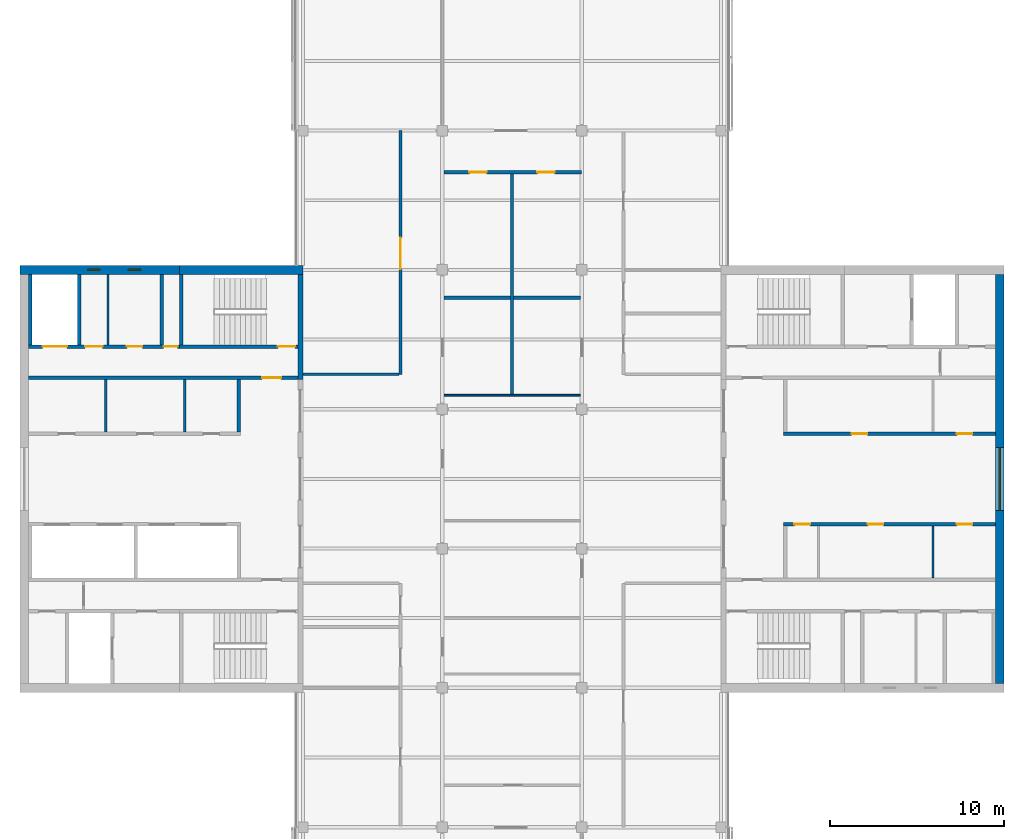
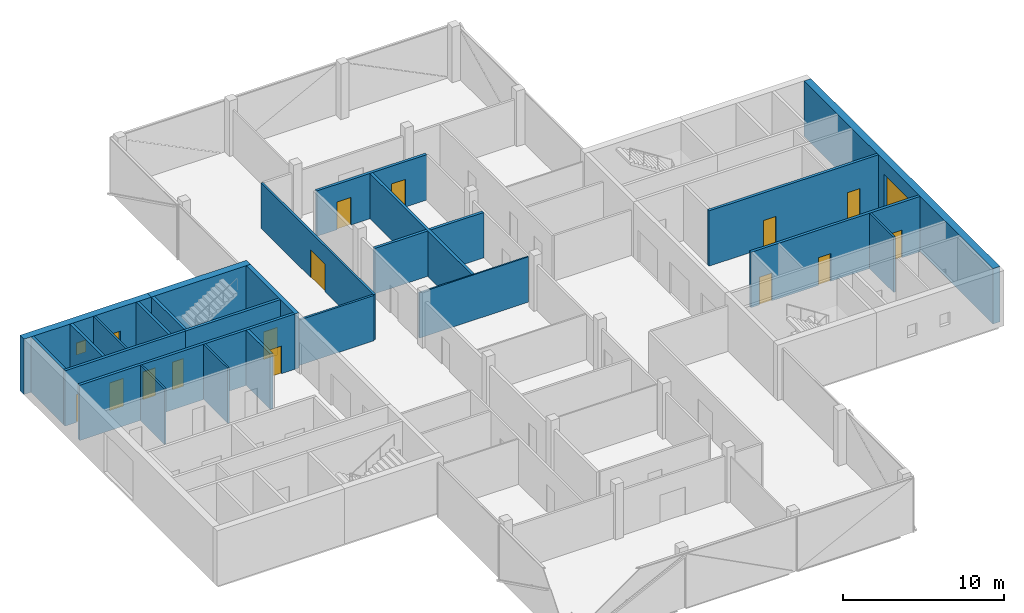
# One storey, part 11 of 16: 25 walls, 14 doors, 3 windows, 17 openings.
"""IFC4 building model written with IfcOpenShell, lengths in metres."""

from ifc_helpers import new_model, si_unit, direction, frame, frame_2d, origin, place, context, subcontext, project, spatial, rectangle, extrude, material, layer, layer_set, constituent, constituent_set, type_object, element, fill, save


model = new_model("IFC4")

# Units and contexts
model_context = context("Model", 3, precision=1e-05, world=origin(), true_north=direction((0.0, 1.0)))
body_context = subcontext(model_context, "Body", "Model", "MODEL_VIEW")
ifc_project = project(units=[si_unit("LENGTHUNIT", "METRE"), si_unit("AREAUNIT", "SQUARE_METRE"), si_unit("VOLUMEUNIT", "CUBIC_METRE"), si_unit("PLANEANGLEUNIT", "RADIAN"), si_unit("MASSUNIT", "GRAM", prefix="KILO")], contexts=[model_context])

# Site, building, storey
site_placement = place(None, origin())
site = spatial("IfcSite", under=ifc_project, at=site_placement, CompositionType="ELEMENT")
building_placement = place(site_placement, origin())
building = spatial("IfcBuilding", under=site, at=building_placement, Name="Crosswind Convention Tower", CompositionType="ELEMENT")
storey_placement = place(building_placement, frame((0.0, 0.0, 295.5)))
storey = spatial("IfcBuildingStorey", under=building, at=storey_placement, Name="L64", CompositionType="ELEMENT", Elevation=295.5)

# Walls
ifc_material_1 = material(Name="Concrete blockwork", Category="masonry")
ifc_layer_1 = layer(ifc_material_1, 0.199951171875)
ifc_layer_set_1 = layer_set([ifc_layer_1], Name="Blockwork partition wall 200")
wall_type_1 = type_object("IfcWallType", Name="Blockwork partition wall 200", PredefinedType="PARTITIONING", material=ifc_layer_set_1)
wall_1_placement = place(storey_placement, frame((104.89990234375, 111.75, 0.0), z_axis=(0.0, 0.0, 1.0), x_axis=(0.0, -1.0, 0.0)))
element("IfcWall", 1, at=wall_1_placement, inside=storey, type_object=wall_type_1, Name="Wall MRSE W L64", PredefinedType="PARTITIONING", context=body_context, shape_type="SweptSolid", body=[
    extrude(rectangle(XDim=4.050048828125, YDim=0.199951171875, at=frame_2d((2.02490234375, 0.0))), origin(), (0.0, 0.0, 1.0), 4.199951171875),
])
ifc_layer_2 = layer(ifc_material_1, 0.199951171875)
ifc_layer_set_2 = layer_set([ifc_layer_2], Name="COMPARTMENT WALL 200 BLOCKWORK")
wall_type_2 = type_object("IfcWallType", Name="COMPARTMENT WALL 200 BLOCKWORK", PredefinedType="SOLIDWALL", material=ifc_layer_set_2)
wall_2_placement = place(storey_placement, frame((125.0, 104.85009765625, 0.0), z_axis=(0.0, 0.0, 1.0), x_axis=(0.0, 1.0, 0.0)))
element("IfcWall", 2, at=wall_2_placement, inside=storey, type_object=wall_type_2, Name="Compartment wall WT42", PredefinedType="SOLIDWALL", context=body_context, shape_type="SweptSolid", body=[
    extrude(rectangle(XDim=12.64990234375, YDim=0.199951171875, at=frame_2d((6.324951171875, 0.0))), origin(), (0.0, 0.0, 1.0), 3.44287109375),
])

# Wall, openings, doors
wall_3_placement = place(storey_placement, frame((121.10009765625, 117.60009765625, 0.0), z_axis=(0.0, 0.0, 1.0), x_axis=(1.0, 0.0, 0.0)))
wall_3 = element("IfcWall", 3, at=wall_3_placement, inside=storey, type_object=wall_type_2, Name="Compartment wall WT42", PredefinedType="SOLIDWALL", context=body_context, shape_type="SweptSolid", body=[
    extrude(rectangle(XDim=7.89990234375, YDim=0.199951171875, at=frame_2d((3.949951171875, 0.0))), origin(), (0.0, 0.0, 1.0), 3.44287109375),
])
opening_1_placement = place(wall_3_placement, frame((1.449951171875, 0.0, 0.0)))
opening_1 = element("IfcOpeningElement", 4, at=opening_1_placement, cuts=wall_3, Name="Opening L64-66", PredefinedType="OPENING", context=body_context, shape_type="SweptSolid", body=[
    extrude(rectangle(XDim=1.0, YDim=2.10009765625, at=frame_2d((0.5, 1.050048828125))), frame((0.0, 0.10986328125, 0.0), z_axis=(0.0, -1.0, 0.0), x_axis=(1.0, 0.0, 0.0)), (0.0, 0.0, 1.0), 0.219970703125),
])
opening_2_placement = place(wall_3_placement, frame((5.35009765625, 0.0, 0.0)))
opening_2 = element("IfcOpeningElement", 5, at=opening_2_placement, cuts=wall_3, Name="Opening L64-67", PredefinedType="OPENING", context=body_context, shape_type="SweptSolid", body=[
    extrude(rectangle(XDim=1.0, YDim=2.10009765625, at=frame_2d((0.5, 1.050048828125))), frame((0.0, 0.10986328125, 0.0), z_axis=(0.0, -1.0, 0.0), x_axis=(1.0, 0.0, 0.0)), (0.0, 0.0, 1.0), 0.219970703125),
])
ifc_material_2 = material(Name="Steel fire door", Category="steel")
door_type_1 = type_object("IfcDoorType", Name="PLANT ROOM DOOR 1000X2100 FD60", OperationType="NOTDEFINED", PredefinedType="DOOR", material=ifc_material_2)
door_1_placement = place(opening_1_placement, frame((1.0, 0.0, 0.0), z_axis=(0.0, 0.0, 1.0), x_axis=(-1.0, 0.0, 0.0)))
door_1 = element("IfcDoor", 6, at=door_1_placement, inside=storey, type_object=door_type_1, Name="Door L64-66", ObjectType="D43", OperationType="SINGLE_SWING_LEFT", OverallHeight=2.10009765625, OverallWidth=1.0, PredefinedType="DOOR", context=body_context, shape_type="SweptSolid", body=[
    extrude(rectangle(XDim=1.0, YDim=2.10009765625, at=frame_2d((0.5, 1.050048828125))), frame((0.0, 0.02490234375, 0.0), z_axis=(0.0, -1.0, 0.0), x_axis=(1.0, 0.0, 0.0)), (0.0, 0.0, 1.0), 0.050048828125),
])
fill(opening_1, door_1)
ifc_material_3 = material(Name="Timber fire door", Category="wood")
door_type_2 = type_object("IfcDoorType", Name="TENANCY ENTRANCE DOOR 1000X2100 FD30S", OperationType="NOTDEFINED", PredefinedType="DOOR", material=ifc_material_3)
door_2_placement = place(opening_2_placement, frame((1.0, 0.0, 0.0), z_axis=(0.0, 0.0, 1.0), x_axis=(-1.0, 0.0, 0.0)))
door_2 = element("IfcDoor", 7, at=door_2_placement, inside=storey, type_object=door_type_2, Name="Door L64-67", ObjectType="D41", OperationType="SINGLE_SWING_RIGHT", OverallHeight=2.10009765625, OverallWidth=1.0, PredefinedType="DOOR", context=body_context, shape_type="SweptSolid", body=[
    extrude(rectangle(XDim=1.0, YDim=2.10009765625, at=frame_2d((0.5, 1.050048828125))), frame((0.0, 0.02490234375, 0.0), z_axis=(0.0, -1.0, 0.0), x_axis=(1.0, 0.0, 0.0)), (0.0, 0.0, 1.0), 0.050048828125),
])
fill(opening_2, door_2)

# Walls
wall_4_placement = place(storey_placement, frame((121.10009765625, 110.39990234375, 0.0), z_axis=(0.0, 0.0, 1.0), x_axis=(1.0, 0.0, 0.0)))
element("IfcWall", 8, at=wall_4_placement, inside=storey, type_object=wall_type_2, Name="Compartment wall WT42", PredefinedType="SOLIDWALL", context=body_context, shape_type="SweptSolid", body=[
    extrude(rectangle(XDim=3.7998046875, YDim=0.199951171875, at=frame_2d((1.89990234375, 0.0))), origin(), (0.0, 0.0, 1.0), 3.44287109375),
])
wall_5_placement = place(storey_placement, frame((125.10009765625, 110.39990234375, 0.0), z_axis=(0.0, 0.0, 1.0), x_axis=(1.0, 0.0, 0.0)))
element("IfcWall", 9, at=wall_5_placement, inside=storey, type_object=wall_type_2, Name="Compartment wall WT42", PredefinedType="SOLIDWALL", context=body_context, shape_type="SweptSolid", body=[
    extrude(rectangle(XDim=3.824951171875, YDim=0.199951171875, at=frame_2d((1.91259765625, 0.0))), origin(), (0.0, 0.0, 1.0), 3.44287109375),
])
ifc_material_4 = material(Name="Concrete C50/60", Category="concrete")
ifc_layer_3 = layer(ifc_material_4, 0.300048828125)
ifc_layer_set_3 = layer_set([ifc_layer_3], Name="Concrete C50/60")
wall_type_3 = type_object("IfcWallType", Name="Concrete inner core wall 300", PredefinedType="SHEAR", material=ifc_layer_set_3)
wall_6_placement = place(storey_placement, frame((112.85009765625, 111.75, 0.0), z_axis=(0.0, 0.0, 1.0), x_axis=(0.0, -1.0, 0.0)))
element("IfcWall", 10, at=wall_6_placement, inside=storey, type_object=wall_type_3, Name="Wall EM W L64", PredefinedType="SHEAR", context=body_context, shape_type="SweptSolid", body=[
    extrude(rectangle(XDim=6.050048828125, YDim=0.300048828125, at=frame_2d((3.02490234375, 0.0))), origin(), (0.0, 0.0, 1.0), 4.199951171875),
])

# Wall, openings, doors
ifc_layer_4 = layer(ifc_material_4, 0.199951171875)
ifc_layer_set_4 = layer_set([ifc_layer_4], Name="Concrete C50/60")
wall_type_4 = type_object("IfcWallType", Name="Concrete shaft and stair wall 200", PredefinedType="SHEAR", material=ifc_layer_set_4)
wall_7_placement = place(storey_placement, frame((140.60009765625, 102.60009765625, 0.0), z_axis=(0.0, 0.0, 1.0), x_axis=(1.0, 0.0, 0.0)))
wall_7 = element("IfcWall", 11, at=wall_7_placement, inside=storey, type_object=wall_type_4, Name="Wall RPFRONT E L64", PredefinedType="SHEAR", context=body_context, shape_type="SweptSolid", body=[
    extrude(rectangle(XDim=12.14990234375, YDim=0.199951171875, at=frame_2d((6.074951171875, 0.0))), origin(), (0.0, 0.0, 1.0), 4.199951171875),
])
opening_3_placement = place(wall_7_placement, frame((3.9013671875, 0.0, 0.0)))
opening_3 = element("IfcOpeningElement", 12, at=opening_3_placement, cuts=wall_7, Name="Opening D106", PredefinedType="OPENING", context=body_context, shape_type="SweptSolid", body=[
    extrude(rectangle(XDim=0.89990234375, YDim=2.10009765625, at=frame_2d((0.449951171875, 1.050048828125))), frame((0.0, 0.10986328125, 0.0), z_axis=(0.0, -1.0, 0.0), x_axis=(1.0, 0.0, 0.0)), (0.0, 0.0, 1.0), 0.219970703125),
])
opening_4_placement = place(wall_7_placement, frame((9.938720703125, 0.0, 0.0)))
opening_4 = element("IfcOpeningElement", 13, at=opening_4_placement, cuts=wall_7, Name="Opening D106", PredefinedType="OPENING", context=body_context, shape_type="SweptSolid", body=[
    extrude(rectangle(XDim=0.89990234375, YDim=2.10009765625, at=frame_2d((0.449951171875, 1.050048828125))), frame((0.0, 0.10986328125, 0.0), z_axis=(0.0, -1.0, 0.0), x_axis=(1.0, 0.0, 0.0)), (0.0, 0.0, 1.0), 0.219970703125),
])
ifc_material_5 = material(Name="Timber door", Category="wood")
door_type_3 = type_object("IfcDoorType", Name="Single leaf door 900x2100", OperationType="NOTDEFINED", PredefinedType="DOOR", material=ifc_material_5)
door_3_placement = place(opening_3_placement, origin())
door_3 = element("IfcDoor", 14, at=door_3_placement, inside=storey, type_object=door_type_3, Name="Door to telecoms room L64", ObjectType="D106", OperationType="SINGLE_SWING_RIGHT", OverallHeight=2.10009765625, OverallWidth=0.89990234375, PredefinedType="DOOR", context=body_context, shape_type="SweptSolid", body=[
    extrude(rectangle(XDim=0.89990234375, YDim=2.10009765625, at=frame_2d((0.449951171875, 1.050048828125))), frame((0.0, 0.02490234375, 0.0), z_axis=(0.0, -1.0, 0.0), x_axis=(1.0, 0.0, 0.0)), (0.0, 0.0, 1.0), 0.050048828125),
])
fill(opening_3, door_3)
door_4_placement = place(opening_4_placement, origin())
door_4 = element("IfcDoor", 15, at=door_4_placement, inside=storey, type_object=door_type_3, Name="Door to storeroom L64", ObjectType="D106", OperationType="SINGLE_SWING_RIGHT", OverallHeight=2.10009765625, OverallWidth=0.89990234375, PredefinedType="DOOR", context=body_context, shape_type="SweptSolid", body=[
    extrude(rectangle(XDim=0.89990234375, YDim=2.10009765625, at=frame_2d((0.449951171875, 1.050048828125))), frame((0.0, 0.02490234375, 0.0), z_axis=(0.0, -1.0, 0.0), x_axis=(1.0, 0.0, 0.0)), (0.0, 0.0, 1.0), 0.050048828125),
])
fill(opening_4, door_4)

wall_8_placement = place(storey_placement, frame((140.60009765625, 97.39990234375, 0.0), z_axis=(0.0, 0.0, 1.0), x_axis=(1.0, 0.0, 0.0)))
wall_8 = element("IfcWall", 16, at=wall_8_placement, inside=storey, type_object=wall_type_4, Name="Wall RMFRONT E L64", PredefinedType="SHEAR", context=body_context, shape_type="SweptSolid", body=[
    extrude(rectangle(XDim=12.14990234375, YDim=0.199951171875, at=frame_2d((6.074951171875, 0.0))), origin(), (0.0, 0.0, 1.0), 4.199951171875),
])
opening_5_placement = place(wall_8_placement, frame((0.614990234375, 0.0, 0.0)))
opening_5 = element("IfcOpeningElement", 17, at=opening_5_placement, cuts=wall_8, Name="Opening D106", PredefinedType="OPENING", context=body_context, shape_type="SweptSolid", body=[
    extrude(rectangle(XDim=0.89990234375, YDim=2.10009765625, at=frame_2d((0.449951171875, 1.050048828125))), frame((0.0, 0.10986328125, 0.0), z_axis=(0.0, -1.0, 0.0), x_axis=(1.0, 0.0, 0.0)), (0.0, 0.0, 1.0), 0.219970703125),
])
opening_6_placement = place(wall_8_placement, frame((4.828857421875, 0.0, 0.0)))
opening_6 = element("IfcOpeningElement", 18, at=opening_6_placement, cuts=wall_8, Name="Opening D106", PredefinedType="OPENING", context=body_context, shape_type="SweptSolid", body=[
    extrude(rectangle(XDim=0.89990234375, YDim=2.10009765625, at=frame_2d((0.449951171875, 1.050048828125))), frame((0.0, 0.10986328125, 0.0), z_axis=(0.0, -1.0, 0.0), x_axis=(1.0, 0.0, 0.0)), (0.0, 0.0, 1.0), 0.219970703125),
])
opening_7_placement = place(wall_8_placement, frame((9.938720703125, 0.0, 0.0)))
opening_7 = element("IfcOpeningElement", 19, at=opening_7_placement, cuts=wall_8, Name="Opening D106", PredefinedType="OPENING", context=body_context, shape_type="SweptSolid", body=[
    extrude(rectangle(XDim=0.89990234375, YDim=2.10009765625, at=frame_2d((0.449951171875, 1.050048828125))), frame((0.0, 0.10986328125, 0.0), z_axis=(0.0, -1.0, 0.0), x_axis=(1.0, 0.0, 0.0)), (0.0, 0.0, 1.0), 0.219970703125),
])
door_5_placement = place(opening_5_placement, frame((0.89990234375, 0.0, 0.0), z_axis=(0.0, 0.0, 1.0), x_axis=(-1.0, 0.0, 0.0)))
door_5 = element("IfcDoor", 20, at=door_5_placement, inside=storey, type_object=door_type_3, Name="Door to storeroom L64", ObjectType="D106", OperationType="SINGLE_SWING_LEFT", OverallHeight=2.10009765625, OverallWidth=0.89990234375, PredefinedType="DOOR", context=body_context, shape_type="SweptSolid", body=[
    extrude(rectangle(XDim=0.89990234375, YDim=2.10009765625, at=frame_2d((0.449951171875, 1.050048828125))), frame((0.0, 0.02490234375, 0.0), z_axis=(0.0, -1.0, 0.0), x_axis=(1.0, 0.0, 0.0)), (0.0, 0.0, 1.0), 0.050048828125),
])
fill(opening_5, door_5)
door_6_placement = place(opening_6_placement, frame((0.89990234375, 0.0, 0.0), z_axis=(0.0, 0.0, 1.0), x_axis=(-1.0, 0.0, 0.0)))
door_6 = element("IfcDoor", 21, at=door_6_placement, inside=storey, type_object=door_type_3, Name="Door to tenant services room L64", ObjectType="D106", OperationType="SINGLE_SWING_LEFT", OverallHeight=2.10009765625, OverallWidth=0.89990234375, PredefinedType="DOOR", context=body_context, shape_type="SweptSolid", body=[
    extrude(rectangle(XDim=0.89990234375, YDim=2.10009765625, at=frame_2d((0.449951171875, 1.050048828125))), frame((0.0, 0.02490234375, 0.0), z_axis=(0.0, -1.0, 0.0), x_axis=(1.0, 0.0, 0.0)), (0.0, 0.0, 1.0), 0.050048828125),
])
fill(opening_6, door_6)
door_7_placement = place(opening_7_placement, frame((0.89990234375, 0.0, 0.0), z_axis=(0.0, 0.0, 1.0), x_axis=(-1.0, 0.0, 0.0)))
door_7 = element("IfcDoor", 22, at=door_7_placement, inside=storey, type_object=door_type_3, Name="Door to copy and print room L64", ObjectType="D106", OperationType="SINGLE_SWING_LEFT", OverallHeight=2.10009765625, OverallWidth=0.89990234375, PredefinedType="DOOR", context=body_context, shape_type="SweptSolid", body=[
    extrude(rectangle(XDim=0.89990234375, YDim=2.10009765625, at=frame_2d((0.449951171875, 1.050048828125))), frame((0.0, 0.02490234375, 0.0), z_axis=(0.0, -1.0, 0.0), x_axis=(1.0, 0.0, 0.0)), (0.0, 0.0, 1.0), 0.050048828125),
])
fill(opening_7, door_7)

# Wall
wall_9_placement = place(storey_placement, frame((109.300048828125, 105.699951171875, 0.0), z_axis=(0.0, 0.0, 1.0), x_axis=(0.0, -1.0, 0.0)))
element("IfcWall", 23, at=wall_9_placement, inside=storey, type_object=wall_type_4, Name="Wall RMEND W L64", PredefinedType="SHEAR", context=body_context, shape_type="SweptSolid", body=[
    extrude(rectangle(XDim=3.0, YDim=0.199951171875, at=frame_2d((1.5, 0.0))), origin(), (0.0, 0.0, 1.0), 4.199951171875),
])

# Wall, opening, door
wall_10_placement = place(storey_placement, frame((112.699951171875, 105.800048828125, 0.0), z_axis=(0.0, 0.0, 1.0), x_axis=(-1.0, 0.0, 0.0)))
wall_10 = element("IfcWall", 24, at=wall_10_placement, inside=storey, type_object=wall_type_4, Name="Wall HM W L64", PredefinedType="SHEAR", context=body_context, shape_type="SweptSolid", body=[
    extrude(rectangle(XDim=15.449951171875, YDim=0.199951171875, at=frame_2d((7.72509765625, 0.0))), origin(), (0.0, 0.0, 1.0), 4.199951171875),
])
opening_8_placement = place(wall_10_placement, frame((0.949951171875, 0.0, 0.0)))
opening_8 = element("IfcOpeningElement", 25, at=opening_8_placement, cuts=wall_10, Name="Opening D104", PredefinedType="OPENING", context=body_context, shape_type="SweptSolid", body=[
    extrude(rectangle(XDim=1.10009765625, YDim=2.10009765625, at=frame_2d((0.550048828125, 1.050048828125))), frame((0.0, 0.10986328125, 0.0), z_axis=(0.0, -1.0, 0.0), x_axis=(1.0, 0.0, 0.0)), (0.0, 0.0, 1.0), 0.219970703125),
])
door_type_4 = type_object("IfcDoorType", Name="Fire-rated single door 1100x2100", OperationType="NOTDEFINED", PredefinedType="DOOR", material=ifc_material_2)
door_8_placement = place(opening_8_placement, origin())
door_8 = element("IfcDoor", 26, at=door_8_placement, inside=storey, type_object=door_type_4, Name="Corridor door L64", ObjectType="D104", OperationType="SINGLE_SWING_LEFT", OverallHeight=2.10009765625, OverallWidth=1.10009765625, PredefinedType="DOOR", context=body_context, shape_type="SweptSolid", body=[
    extrude(rectangle(XDim=1.10009765625, YDim=2.10009765625, at=frame_2d((0.550048828125, 1.050048828125))), frame((0.0, 0.02490234375, 0.0), z_axis=(0.0, -1.0, 0.0), x_axis=(1.0, 0.0, 0.0)), (0.0, 0.0, 1.0), 0.050048828125),
])
fill(opening_8, door_8)

# Walls
for number, where, z_axis, x_axis, name in (
    (27, (106.0, 111.75, 0.0), (0.0, 0.0, 1.0), (0.0, -1.0, 0.0), "Wall MSE W L64"),
    (28, (100.14990234375, 111.75, 0.0), (0.0, 0.0, 1.0), (0.0, -1.0, 0.0), "Wall MFSW W L64"),
    (29, (97.35009765625, 111.75, 0.0), (0.0, 0.0, 1.0), (0.0, -1.0, 0.0), "Wall MFSE W L64"),
):
    element("IfcWall", number, at=place(storey_placement, frame(where, z_axis=z_axis, x_axis=x_axis)), inside=storey, type_object=wall_type_4, Name=name, PredefinedType="SHEAR", context=body_context, shape_type="SweptSolid", body=[
        extrude(rectangle(XDim=4.050048828125, YDim=0.199951171875, at=frame_2d((2.02490234375, 0.0))), origin(), (0.0, 0.0, 1.0), 4.199951171875),
    ])

# Wall, opening, door
wall_11_placement = place(storey_placement, frame((112.699951171875, 107.60009765625, 0.0), z_axis=(0.0, 0.0, 1.0), x_axis=(-1.0, 0.0, 0.0)))
wall_11 = element("IfcWall", 30, at=wall_11_placement, inside=storey, type_object=wall_type_4, Name="Wall MCW W L64", PredefinedType="SHEAR", context=body_context, shape_type="SweptSolid", body=[
    extrude(rectangle(XDim=6.800048828125, YDim=0.199951171875, at=frame_2d((3.39990234375, 0.0))), origin(), (0.0, 0.0, 1.0), 4.199951171875),
])
opening_9_placement = place(wall_11_placement, frame((0.14990234375, 0.0, 0.0)))
opening_9 = element("IfcOpeningElement", 31, at=opening_9_placement, cuts=wall_11, Name="Opening D103", PredefinedType="OPENING", context=body_context, shape_type="SweptSolid", body=[
    extrude(rectangle(XDim=1.0, YDim=2.10009765625, at=frame_2d((0.5, 1.050048828125))), frame((0.0, 0.10986328125, 0.0), z_axis=(0.0, -1.0, 0.0), x_axis=(1.0, 0.0, 0.0)), (0.0, 0.0, 1.0), 0.219970703125),
])
door_type_5 = type_object("IfcDoorType", Name="Fire-rated single door 1000x2100", OperationType="NOTDEFINED", PredefinedType="DOOR", material=ifc_material_2)
door_9_placement = place(opening_9_placement, frame((1.0, 0.0, 0.0), z_axis=(0.0, 0.0, 1.0), x_axis=(-1.0, 0.0, 0.0)))
door_9 = element("IfcDoor", 32, at=door_9_placement, inside=storey, type_object=door_type_5, Name="Stair ST4 door L64", ObjectType="D103", OperationType="SINGLE_SWING_RIGHT", OverallHeight=2.10009765625, OverallWidth=1.0, PredefinedType="DOOR", context=body_context, shape_type="SweptSolid", body=[
    extrude(rectangle(XDim=1.0, YDim=2.10009765625, at=frame_2d((0.5, 1.050048828125))), frame((0.0, 0.02490234375, 0.0), z_axis=(0.0, -1.0, 0.0), x_axis=(1.0, 0.0, 0.0)), (0.0, 0.0, 1.0), 0.050048828125),
])
fill(opening_9, door_9)

# Wall, openings, doors
wall_12_placement = place(storey_placement, frame((105.89990234375, 107.60009765625, 0.0), z_axis=(0.0, 0.0, 1.0), x_axis=(-1.0, 0.0, 0.0)))
wall_12 = element("IfcWall", 33, at=wall_12_placement, inside=storey, type_object=wall_type_4, Name="Wall MCX W L64", PredefinedType="SHEAR", context=body_context, shape_type="SweptSolid", body=[
    extrude(rectangle(XDim=8.64990234375, YDim=0.199951171875, at=frame_2d((4.324951171875, 0.0))), origin(), (0.0, 0.0, 1.0), 4.199951171875),
])
opening_10_placement = place(wall_12_placement, frame((0.10009765625, 0.0, 0.0)))
opening_10 = element("IfcOpeningElement", 34, at=opening_10_placement, cuts=wall_12, Name="Opening D105", PredefinedType="OPENING", context=body_context, shape_type="SweptSolid", body=[
    extrude(rectangle(XDim=0.800048828125, YDim=2.10009765625, at=frame_2d((0.39990234375, 1.050048828125))), frame((0.0, 0.10986328125, 0.0), z_axis=(0.0, -1.0, 0.0), x_axis=(1.0, 0.0, 0.0)), (0.0, 0.0, 1.0), 0.219970703125),
])
opening_11_placement = place(wall_12_placement, frame((2.120361328125, 0.0, 0.0)))
opening_11 = element("IfcOpeningElement", 35, at=opening_11_placement, cuts=wall_12, Name="Opening D106", PredefinedType="OPENING", context=body_context, shape_type="SweptSolid", body=[
    extrude(rectangle(XDim=0.89990234375, YDim=2.10009765625, at=frame_2d((0.449951171875, 1.050048828125))), frame((0.0, 0.10986328125, 0.0), z_axis=(0.0, -1.0, 0.0), x_axis=(1.0, 0.0, 0.0)), (0.0, 0.0, 1.0), 0.219970703125),
])
opening_12_placement = place(wall_12_placement, frame((4.40771484375, 0.0, 0.0)))
opening_12 = element("IfcOpeningElement", 36, at=opening_12_placement, cuts=wall_12, Name="Opening D103", PredefinedType="OPENING", context=body_context, shape_type="SweptSolid", body=[
    extrude(rectangle(XDim=1.0, YDim=2.10009765625, at=frame_2d((0.5, 1.050048828125))), frame((0.0, 0.10986328125, 0.0), z_axis=(0.0, -1.0, 0.0), x_axis=(1.0, 0.0, 0.0)), (0.0, 0.0, 1.0), 0.219970703125),
])
opening_13_placement = place(wall_12_placement, frame((6.449951171875, 0.0, 0.0)))
opening_13 = element("IfcOpeningElement", 37, at=opening_13_placement, cuts=wall_12, Name="Opening LD2", PredefinedType="OPENING", context=body_context, shape_type="SweptSolid", body=[
    extrude(rectangle(XDim=1.39990234375, YDim=2.10009765625, at=frame_2d((0.699951171875, 1.050048828125))), frame((0.0, 0.10986328125, 0.0), z_axis=(0.0, -1.0, 0.0), x_axis=(1.0, 0.0, 0.0)), (0.0, 0.0, 1.0), 0.219970703125),
])
door_10_placement = place(opening_12_placement, frame((1.0, 0.0, 0.0), z_axis=(0.0, 0.0, 1.0), x_axis=(-1.0, 0.0, 0.0)))
door_10 = element("IfcDoor", 38, at=door_10_placement, inside=storey, type_object=door_type_5, Name="Door to accessible wc L64", ObjectType="D103", OperationType="SINGLE_SWING_LEFT", OverallHeight=2.10009765625, OverallWidth=1.0, PredefinedType="DOOR", context=body_context, shape_type="SweptSolid", body=[
    extrude(rectangle(XDim=1.0, YDim=2.10009765625, at=frame_2d((0.5, 1.050048828125))), frame((0.0, 0.02490234375, 0.0), z_axis=(0.0, -1.0, 0.0), x_axis=(1.0, 0.0, 0.0)), (0.0, 0.0, 1.0), 0.050048828125),
])
fill(opening_12, door_10)
ifc_material_6 = material(Name="Stainless steel", Category="steel")
door_type_6 = type_object("IfcDoorType", Name="Lift landing door 1400x2100", OperationType="DOUBLE_DOOR_SLIDING", PredefinedType="DOOR", material=ifc_material_6)
door_11_placement = place(opening_13_placement, origin())
door_11 = element("IfcDoor", 39, at=door_11_placement, inside=storey, type_object=door_type_6, Name="Landing door SV2 L64", ObjectType="LD2", OperationType="DOUBLE_DOOR_SLIDING", OverallHeight=2.10009765625, OverallWidth=1.39990234375, PredefinedType="DOOR", context=body_context, shape_type="SweptSolid", body=[
    extrude(rectangle(XDim=1.39990234375, YDim=2.10009765625, at=frame_2d((0.699951171875, 1.050048828125))), frame((0.0, 0.02490234375, 0.0), z_axis=(0.0, -1.0, 0.0), x_axis=(1.0, 0.0, 0.0)), (0.0, 0.0, 1.0), 0.050048828125),
])
fill(opening_13, door_11)
door_type_7 = type_object("IfcDoorType", Name="Riser access door 800x2100", OperationType="NOTDEFINED", PredefinedType="DOOR", material=ifc_material_2)
door_12_placement = place(opening_10_placement, frame((0.800048828125, 0.0, 0.0), z_axis=(0.0, 0.0, 1.0), x_axis=(-1.0, 0.0, 0.0)))
door_12 = element("IfcDoor", 40, at=door_12_placement, inside=storey, type_object=door_type_7, Name="Riser door L64", ObjectType="D105", OperationType="SINGLE_SWING_LEFT", OverallHeight=2.10009765625, OverallWidth=0.800048828125, PredefinedType="DOOR", context=body_context, shape_type="SweptSolid", body=[
    extrude(rectangle(XDim=0.800048828125, YDim=2.10009765625, at=frame_2d((0.39990234375, 1.050048828125))), frame((0.0, 0.02490234375, 0.0), z_axis=(0.0, -1.0, 0.0), x_axis=(1.0, 0.0, 0.0)), (0.0, 0.0, 1.0), 0.050048828125),
])
fill(opening_10, door_12)
door_13_placement = place(opening_11_placement, frame((0.89990234375, 0.0, 0.0), z_axis=(0.0, 0.0, 1.0), x_axis=(-1.0, 0.0, 0.0)))
door_13 = element("IfcDoor", 41, at=door_13_placement, inside=storey, type_object=door_type_3, Name="Door to wc L64", ObjectType="D106", OperationType="SINGLE_SWING_LEFT", OverallHeight=2.10009765625, OverallWidth=0.89990234375, PredefinedType="DOOR", context=body_context, shape_type="SweptSolid", body=[
    extrude(rectangle(XDim=0.89990234375, YDim=2.10009765625, at=frame_2d((0.449951171875, 1.050048828125))), frame((0.0, 0.02490234375, 0.0), z_axis=(0.0, -1.0, 0.0), x_axis=(1.0, 0.0, 0.0)), (0.0, 0.0, 1.0), 0.050048828125),
])
fill(opening_11, door_13)

# Walls
ifc_material_7 = material(Name="Gypsum plasterboard partition", Category="gypsum")
ifc_layer_5 = layer(ifc_material_7, 0.125)
ifc_layer_set_5 = layer_set([ifc_layer_5], Name="Drywall partition wall 125")
wall_type_5 = type_object("IfcWallType", Name="Drywall partition wall 125", PredefinedType="PARTITIONING", material=ifc_layer_set_5)
for number, where, z_axis, x_axis, name in (
    (42, (149.1650390625, 94.300048828125, 0.0), (0.0, 0.0, 1.0), (0.0, 1.0, 0.0), "Wall RMP2 E L64"),
    (43, (106.21240234375, 105.699951171875, 0.0), (0.0, 0.0, 1.0), (0.0, -1.0, 0.0), "Wall RMP1 W L64"),
    (44, (101.67138671875, 105.699951171875, 0.0), (0.0, 0.0, 1.0), (0.0, -1.0, 0.0), "Wall RMP2 W L64"),
):
    element("IfcWall", number, at=place(storey_placement, frame(where, z_axis=z_axis, x_axis=x_axis)), inside=storey, type_object=wall_type_5, Name=name, PredefinedType="PARTITIONING", context=body_context, shape_type="SweptSolid", body=[
        extrude(rectangle(XDim=3.0, YDim=0.125, at=frame_2d((1.5, 0.0))), origin(), (0.0, 0.0, 1.0), 4.199951171875),
    ])
wall_13_placement = place(storey_placement, frame((101.797119140625, 111.75, 0.0), z_axis=(0.0, 0.0, 1.0), x_axis=(0.0, -1.0, 0.0)))
element("IfcWall", 45, at=wall_13_placement, inside=storey, type_object=wall_type_5, Name="Wall MWP1 W L64", PredefinedType="PARTITIONING", context=body_context, shape_type="SweptSolid", body=[
    extrude(rectangle(XDim=4.050048828125, YDim=0.125, at=frame_2d((2.02490234375, 0.0))), origin(), (0.0, 0.0, 1.0), 4.199951171875),
])
ifc_material_8 = material(Name="Plasterboard partition", Category="gypsum")
ifc_layer_6 = layer(ifc_material_8, 0.10009765625)
ifc_layer_set_6 = layer_set([ifc_layer_6], Name="PARTITION 100 METAL STUD")
wall_type_6 = type_object("IfcWallType", Name="PARTITION 100 METAL STUD", PredefinedType="PARTITIONING", material=ifc_layer_set_6)
wall_14_placement = place(storey_placement, frame((121.10009765625, 104.800048828125, 0.0), z_axis=(0.0, 0.0, 1.0), x_axis=(1.0, 0.0, 0.0)))
element("IfcWall", 46, at=wall_14_placement, inside=storey, type_object=wall_type_6, Name="Partition wall WT40", PredefinedType="PARTITIONING", context=body_context, shape_type="SweptSolid", body=[
    extrude(rectangle(XDim=7.824951171875, YDim=0.10009765625, at=frame_2d((3.91259765625, 0.0))), origin(), (0.0, 0.0, 1.0), 3.44287109375),
])

# Wall, opening, door
ifc_material_9 = material(Name="Fire-board partition with mineral wool", Category="gypsum")
ifc_layer_7 = layer(ifc_material_9, 0.14990234375)
ifc_layer_set_7 = layer_set([ifc_layer_7], Name="TENANCY WALL 150 TWO-HOUR BOARD")
wall_type_7 = type_object("IfcWallType", Name="TENANCY WALL 150 TWO-HOUR BOARD", PredefinedType="PARTITIONING", material=ifc_layer_set_7)
wall_15_placement = place(storey_placement, frame((118.60009765625, 106.0, 0.0), z_axis=(0.0, 0.0, 1.0), x_axis=(0.0, 1.0, 0.0)))
wall_15 = element("IfcWall", 47, at=wall_15_placement, inside=storey, type_object=wall_type_7, Name="Tenancy wall WT41", PredefinedType="PARTITIONING", context=body_context, shape_type="SweptSolid", body=[
    extrude(rectangle(XDim=14.0, YDim=0.14990234375, at=frame_2d((7.0, 0.0))), origin(), (0.0, 0.0, 1.0), 3.44287109375),
])
opening_14_placement = place(wall_15_placement, frame((6.050048828125, 0.0, 0.0)))
opening_14 = element("IfcOpeningElement", 48, at=opening_14_placement, cuts=wall_15, Name="Opening L64-54", PredefinedType="OPENING", context=body_context, shape_type="SweptSolid", body=[
    extrude(rectangle(XDim=1.800048828125, YDim=2.10009765625, at=frame_2d((0.89990234375, 1.050048828125))), frame((0.0, 0.0849609375, 0.0), z_axis=(0.0, -1.0, 0.0), x_axis=(1.0, 0.0, 0.0)), (0.0, 0.0, 1.0), 0.169921875),
])
door_type_8 = type_object("IfcDoorType", Name="TENANCY ENTRANCE DOUBLE DOOR 1800X2100 FD30S", OperationType="DOUBLE_DOOR_SINGLE_SWING", PredefinedType="DOOR", material=ifc_material_3)
door_14_placement = place(opening_14_placement, origin())
door_14 = element("IfcDoor", 49, at=door_14_placement, inside=storey, type_object=door_type_8, Name="Door L64-54", ObjectType="D42", OperationType="DOUBLE_DOOR_SINGLE_SWING", OverallHeight=2.10009765625, OverallWidth=1.800048828125, PredefinedType="DOOR", context=body_context, shape_type="SweptSolid", body=[
    extrude(rectangle(XDim=1.800048828125, YDim=2.10009765625, at=frame_2d((0.89990234375, 1.050048828125))), frame((0.0, 0.02490234375, 0.0), z_axis=(0.0, -1.0, 0.0), x_axis=(1.0, 0.0, 0.0)), (0.0, 0.0, 1.0), 0.050048828125),
])
fill(opening_14, door_14)

# Wall
wall_16_placement = place(storey_placement, frame((113.0, 106.0, 0.0), z_axis=(0.0, 0.0, 1.0), x_axis=(1.0, 0.0, 0.0)))
element("IfcWall", 50, at=wall_16_placement, inside=storey, type_object=wall_type_7, Name="Tenancy wall WT41", PredefinedType="PARTITIONING", context=body_context, shape_type="SweptSolid", body=[
    extrude(rectangle(XDim=5.52490234375, YDim=0.14990234375, at=frame_2d((2.762451171875, 0.0))), origin(), (0.0, 0.0, 1.0), 3.44287109375),
])

# Wall, opening, window
ifc_material_10 = material(Name="Concrete C60/75", Category="concrete")
ifc_constituent_1 = constituent(ifc_material_10, Name="Structure")
ifc_material_11 = material(Name="Terracotta rainscreen", Category="ceramic")
ifc_constituent_2 = constituent(ifc_material_11, Name="Facing")
ifc_constituent_set = constituent_set(constituents=[ifc_constituent_1, ifc_constituent_2], Name="Concrete C60/75, Terracotta rainscreen")
wall_type_8 = type_object("IfcWallType", Name="Terracotta rainscreen on concrete core wall 500", PredefinedType="SHEAR", material=ifc_constituent_set)
wall_17_placement = place(storey_placement, frame((153.0, 88.25, 0.0), z_axis=(0.0, 0.0, 1.0), x_axis=(0.0, 1.0, 0.0)))
wall_17 = element("IfcWall", 51, at=wall_17_placement, inside=storey, type_object=wall_type_8, Name="Wall O E L64", PredefinedType="SHEAR", context=body_context, shape_type="SweptSolid", body=[
    extrude(rectangle(XDim=23.5, YDim=0.5, at=frame_2d((11.75, 0.0))), origin(), (0.0, 0.0, 1.0), 4.199951171875),
])
opening_15_placement = place(wall_17_placement, frame((9.949951171875, 0.0, 0.14990234375)))
opening_15 = element("IfcOpeningElement", 52, at=opening_15_placement, cuts=wall_17, Name="Opening W1", PredefinedType="OPENING", context=body_context, shape_type="SweptSolid", body=[
    extrude(rectangle(XDim=3.60009765625, YDim=3.0, at=frame_2d((1.800048828125, 1.5))), frame((0.0, 0.260009765625, 0.0), z_axis=(0.0, -1.0, 0.0), x_axis=(1.0, 0.0, 0.0)), (0.0, 0.0, 1.0), 0.52001953125),
])
ifc_material_12 = material(Name="Clear laminated glass in aluminium frame", Category="aluminium")
window_type_1 = type_object("IfcWindowType", Name="Lobby end window 3600x3000", PartitioningType="SINGLE_PANEL", PredefinedType="WINDOW", material=ifc_material_12)
window_1_placement = place(opening_15_placement, origin())
window_1 = element("IfcWindow", 53, at=window_1_placement, inside=storey, type_object=window_type_1, Name="Lobby end window L64", ObjectType="W1", OverallHeight=3.0, OverallWidth=3.60009765625, PartitioningType="SINGLE_PANEL", PredefinedType="WINDOW", context=body_context, shape_type="SweptSolid", body=[
    extrude(rectangle(XDim=3.60009765625, YDim=3.0, at=frame_2d((1.800048828125, 1.5))), frame((0.0, 0.030029296875, 0.0), z_axis=(0.0, -1.0, 0.0), x_axis=(1.0, 0.0, 0.0)), (0.0, 0.0, 1.0), 0.06005859375),
])
fill(opening_15, window_1)

# Wall
wall_18_placement = place(storey_placement, frame((113.0, 112.0, 0.0), z_axis=(0.0, 0.0, 1.0), x_axis=(-1.0, 0.0, 0.0)))
element("IfcWall", 54, at=wall_18_placement, inside=storey, type_object=wall_type_8, Name="Wall S1 W L64", PredefinedType="SHEAR", context=body_context, shape_type="SweptSolid", body=[
    extrude(rectangle(XDim=7.10009765625, YDim=0.5, at=frame_2d((3.550048828125, 0.0))), origin(), (0.0, 0.0, 1.0), 4.199951171875),
])

# Wall, openings, windows
wall_19_placement = place(storey_placement, frame((105.89990234375, 112.0, 0.0), z_axis=(0.0, 0.0, 1.0), x_axis=(-1.0, 0.0, 0.0)))
wall_19 = element("IfcWall", 55, at=wall_19_placement, inside=storey, type_object=wall_type_8, Name="Wall S2 W L64", PredefinedType="SHEAR", context=body_context, shape_type="SweptSolid", body=[
    extrude(rectangle(XDim=9.14990234375, YDim=0.5, at=frame_2d((4.574951171875, 0.0))), origin(), (0.0, 0.0, 1.0), 4.199951171875),
])
opening_16_placement = place(wall_19_placement, frame((2.22021484375, 0.0, 1.5)))
opening_16 = element("IfcOpeningElement", 56, at=opening_16_placement, cuts=wall_19, Name="Opening W2", PredefinedType="OPENING", context=body_context, shape_type="SweptSolid", body=[
    extrude(rectangle(XDim=0.699951171875, YDim=0.89990234375, at=frame_2d((0.35009765625, 0.449951171875))), frame((0.0, 0.260009765625, 0.0), z_axis=(0.0, -1.0, 0.0), x_axis=(1.0, 0.0, 0.0)), (0.0, 0.0, 1.0), 0.52001953125),
])
opening_17_placement = place(wall_19_placement, frame((4.557861328125, 0.0, 1.5)))
opening_17 = element("IfcOpeningElement", 57, at=opening_17_placement, cuts=wall_19, Name="Opening W2", PredefinedType="OPENING", context=body_context, shape_type="SweptSolid", body=[
    extrude(rectangle(XDim=0.699951171875, YDim=0.89990234375, at=frame_2d((0.35009765625, 0.449951171875))), frame((0.0, 0.260009765625, 0.0), z_axis=(0.0, -1.0, 0.0), x_axis=(1.0, 0.0, 0.0)), (0.0, 0.0, 1.0), 0.52001953125),
])
ifc_material_13 = material(Name="Obscure glass in aluminium frame", Category="aluminium")
window_type_2 = type_object("IfcWindowType", Name="WC window 700x900", PartitioningType="SINGLE_PANEL", PredefinedType="WINDOW", material=ifc_material_13)
window_2_placement = place(opening_16_placement, origin())
window_2 = element("IfcWindow", 58, at=window_2_placement, inside=storey, type_object=window_type_2, Name="WC window L64", ObjectType="W2", OverallHeight=0.89990234375, OverallWidth=0.699951171875, PartitioningType="SINGLE_PANEL", PredefinedType="WINDOW", context=body_context, shape_type="SweptSolid", body=[
    extrude(rectangle(XDim=0.699951171875, YDim=0.89990234375, at=frame_2d((0.35009765625, 0.449951171875))), frame((0.0, 0.030029296875, 0.0), z_axis=(0.0, -1.0, 0.0), x_axis=(1.0, 0.0, 0.0)), (0.0, 0.0, 1.0), 0.06005859375),
])
fill(opening_16, window_2)
window_3_placement = place(opening_17_placement, origin())
window_3 = element("IfcWindow", 59, at=window_3_placement, inside=storey, type_object=window_type_2, Name="WC window L64", ObjectType="W2", OverallHeight=0.89990234375, OverallWidth=0.699951171875, PartitioningType="SINGLE_PANEL", PredefinedType="WINDOW", context=body_context, shape_type="SweptSolid", body=[
    extrude(rectangle(XDim=0.699951171875, YDim=0.89990234375, at=frame_2d((0.35009765625, 0.449951171875))), frame((0.0, 0.030029296875, 0.0), z_axis=(0.0, -1.0, 0.0), x_axis=(1.0, 0.0, 0.0)), (0.0, 0.0, 1.0), 0.06005859375),
])
fill(opening_17, window_3)

save(model, "model.ifc")
